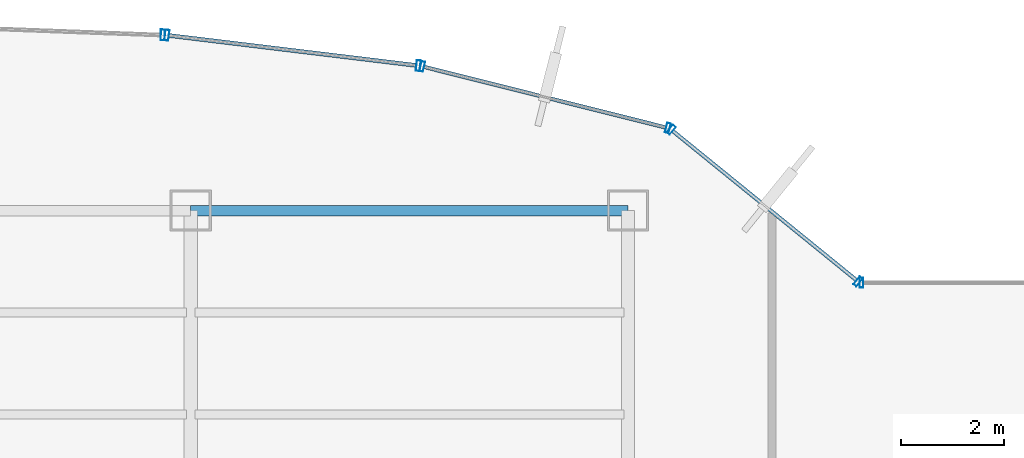
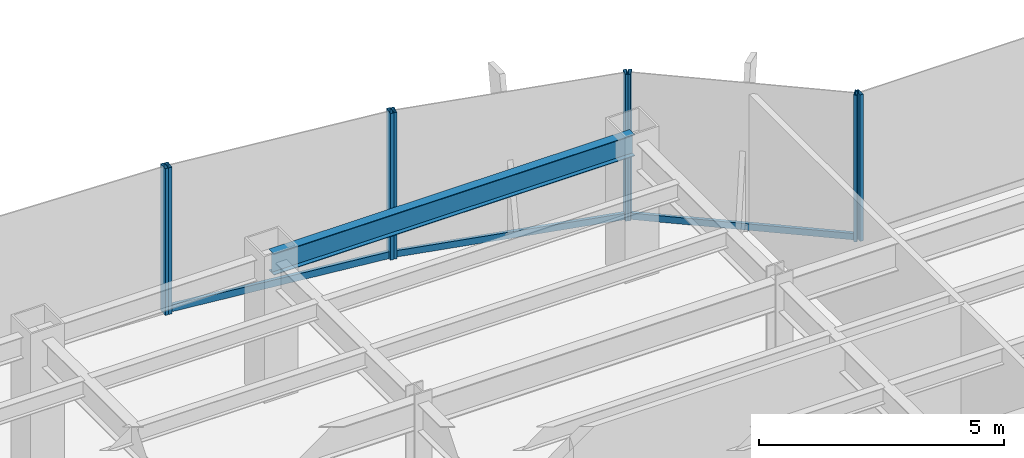
# One storey, part 18 of 26: 11 members, 1 beam, 5 elements without a shape of their own.
"""IFC4 building model written with IfcOpenShell, lengths in metres."""

from ifc_helpers import new_model, si_unit, derived_unit, direction, frame, origin, origin_2d, place, context, subcontext, project, spatial, hollow_rectangle, i_section, extrude, source, transform, mapped, material, material_profile, profile_set, type_object, element, aggregate, save


model = new_model("IFC4")

# Units and contexts
model_context = context("Model", 3, precision=1e-05, world=origin(), true_north=direction((0.0, 1.0)))
body_context = subcontext(model_context, "Body", "Model", "MODEL_VIEW")
ifc_project = project(units=[si_unit("LENGTHUNIT", "METRE"), si_unit("AREAUNIT", "SQUARE_METRE"), si_unit("VOLUMEUNIT", "CUBIC_METRE"), si_unit("PLANEANGLEUNIT", "RADIAN"), si_unit("MASSUNIT", "GRAM", prefix="KILO"), derived_unit("THERMALTRANSMITTANCEUNIT", [(si_unit("POWERUNIT", "WATT"), 1), (si_unit("LENGTHUNIT", "METRE"), -2), (si_unit("THERMODYNAMICTEMPERATUREUNIT", "KELVIN"), -1)])], contexts=[model_context])

# Site, building, storey
site_placement = place(None, origin())
site = spatial("IfcSite", under=ifc_project, at=site_placement, CompositionType="ELEMENT")
building_placement = place(site_placement, origin())
building = spatial("IfcBuilding", under=site, at=building_placement, Name="Skarnbrae Concourse Arena and Tower", CompositionType="ELEMENT")
storey_placement = place(building_placement, frame((0.0, 0.0, 114.199951171875)))
storey = spatial("IfcBuildingStorey", under=building, at=storey_placement, Name="L28", CompositionType="ELEMENT", Elevation=114.199951171875)

# Beam
ifc_material_1 = material(Name="Steel CSA G40.21 350W", Category="steel")
ifc_material_profile_1 = material_profile(ifc_material_1, i_section(OverallWidth=0.208984375, OverallDepth=0.532958984375, WebThickness=0.01025390625, FlangeThickness=0.015625, at=origin_2d()), Name="W530X92")
ifc_profile_set_1 = profile_set([ifc_material_profile_1], Name="Steel CSA G40.21 350W")
beam_type = type_object("IfcBeamType", Name="BM-SPAN-W530X92", PredefinedType="SPANDREL", material=ifc_profile_set_1)
shared_shape_1 = source(origin(), body_context, "Body", "SweptSolid", [
    extrude(i_section(OverallWidth=0.208984375, OverallDepth=0.532958984375, WebThickness=0.01025390625, FlangeThickness=0.015625, at=origin_2d()), origin(), (0.0, 0.0, 1.0), 8.5),
])
beam_placement = place(storey_placement, frame((33.5, 40.39990234375, 3.133544921875), z_axis=(1.0, 0.0, 0.0), x_axis=(0.0, 1.0, 0.0)))
element("IfcBeam", 1, at=beam_placement, inside=storey, type_object=beam_type, Name="L28 Perimeter spandrel Y40.4-4", PredefinedType="SPANDREL", context=body_context, shape_type="MappedRepresentation", body=[
    mapped(shared_shape_1, transform((0.0, 0.0, 0.0))),
])

# Curtain wall, members
ifc_material_2 = material(Name="Bronze anodised aluminium 6063-T6", Category="aluminium")
curtain_wall_type_1 = type_object("IfcCurtainWallType", Name="CW-SYS-03-PORTAL", PredefinedType="USERDEFINED", material=ifc_material_2)
curtain_wall_1_placement = place(storey_placement, origin())
curtain_wall_1 = element("IfcCurtainWall", 2, at=curtain_wall_1_placement, inside=storey, type_object=curtain_wall_type_1, Name="L28 Unitised curtain wall CW-L28-E10", ObjectType="UNITISED CURTAIN WALL", PredefinedType="USERDEFINED")
ifc_material_profile_2 = material_profile(ifc_material_2, hollow_rectangle(XDim=0.080078125, YDim=0.2099609375, WallThickness=0.00439453125, at=origin_2d()), Name="ALU-MULL-80X210")
ifc_profile_set_2 = profile_set([ifc_material_profile_2], Name="Bronze anodised aluminium 6063-T6")
member_type_1 = type_object("IfcMemberType", Name="CWM-CW-03", PredefinedType="MULLION", material=ifc_profile_set_2)
shared_shape_2 = source(origin(), body_context, "Body", "SweptSolid", [
    extrude(hollow_rectangle(XDim=0.080078125, YDim=0.2099609375, WallThickness=0.00439453125, at=origin_2d()), origin(), (0.0, 0.0, 1.0), 3.650146484375),
])
member_1_placement = place(storey_placement, frame((37.924560546875, 43.217529296875, 0.0), z_axis=(0.0, 0.0, 1.0), x_axis=(-0.992749371969, 0.120202680731, 0.0)))
member_1 = element("IfcMember", 3, at=member_1_placement, type_object=member_type_1, Name="CW-L28-E10 Mullion 1", PredefinedType="MULLION", context=body_context, shape_type="MappedRepresentation", body=[
    mapped(shared_shape_2, transform((0.0, 0.0, 0.0))),
])
member_2_placement = place(storey_placement, frame((33.03857421875, 43.80908203125, 0.0), z_axis=(0.0, 0.0, 1.0), x_axis=(-0.992749371969, 0.120202680731, 0.0)))
member_2 = element("IfcMember", 4, at=member_2_placement, type_object=member_type_1, Name="CW-L28-E10 Mullion 2", PredefinedType="MULLION", context=body_context, shape_type="MappedRepresentation", body=[
    mapped(shared_shape_2, transform((0.0, 0.0, 0.0))),
])

# Curtain wall, member
curtain_wall_2_placement = place(storey_placement, origin())
curtain_wall_2 = element("IfcCurtainWall", 5, at=curtain_wall_2_placement, inside=storey, type_object=curtain_wall_type_1, Name="L28 Unitised curtain wall CW-L28-E11", ObjectType="UNITISED CURTAIN WALL", PredefinedType="USERDEFINED")
member_3_placement = place(storey_placement, frame((32.958984375, 43.8154296875, 0.0), z_axis=(0.0, 0.0, 1.0), x_axis=(-0.999308486252, 0.037182647889, 0.0)))
member_3 = element("IfcMember", 6, at=member_3_placement, type_object=member_type_1, Name="CW-L28-E11 Mullion 1", PredefinedType="MULLION", context=body_context, shape_type="MappedRepresentation", body=[
    mapped(shared_shape_2, transform((0.0, 0.0, 0.0))),
])
aggregate(curtain_wall_2, [member_3])

curtain_wall_type_2 = type_object("IfcCurtainWallType", Name="CW-SYS-04-MIDZONE", PredefinedType="USERDEFINED", material=ifc_material_2)
curtain_wall_3_placement = place(storey_placement, origin())
curtain_wall_3 = element("IfcCurtainWall", 7, at=curtain_wall_3_placement, inside=storey, type_object=curtain_wall_type_2, Name="L28 Unitised curtain wall CW-L28-E07", ObjectType="UNITISED CURTAIN WALL", PredefinedType="USERDEFINED")
ifc_material_profile_3 = material_profile(ifc_material_2, hollow_rectangle(XDim=0.074951171875, YDim=0.195068359375, WallThickness=0.00439453125, at=origin_2d()), Name="ALU-MULL-75X195")
ifc_profile_set_3 = profile_set([ifc_material_profile_3], Name="Bronze anodised aluminium 6063-T6")
member_type_2 = type_object("IfcMemberType", Name="CWM-CW-04", PredefinedType="MULLION", material=ifc_profile_set_3)
shared_shape_3 = source(origin(), body_context, "Body", "SweptSolid", [
    extrude(hollow_rectangle(XDim=0.074951171875, YDim=0.195068359375, WallThickness=0.00439453125, at=origin_2d()), origin(), (0.0, 0.0, 1.0), 3.650146484375),
])
member_4_placement = place(storey_placement, frame((46.53759765625, 39.0, 0.0), z_axis=(0.0, 0.0, 1.0), x_axis=(-1.0, 0.0, 0.0)))
member_4 = element("IfcMember", 8, at=member_4_placement, type_object=member_type_2, Name="CW-L28-E07 Mullion 2", PredefinedType="MULLION", context=body_context, shape_type="MappedRepresentation", body=[
    mapped(shared_shape_3, transform((0.0, 0.0, 0.0))),
])
aggregate(curtain_wall_3, [member_4])

# Curtain wall, members
curtain_wall_4_placement = place(storey_placement, origin())
curtain_wall_4 = element("IfcCurtainWall", 9, at=curtain_wall_4_placement, inside=storey, type_object=curtain_wall_type_2, Name="L28 Unitised curtain wall CW-L28-E08", ObjectType="UNITISED CURTAIN WALL", PredefinedType="USERDEFINED")
member_5_placement = place(storey_placement, frame((46.470947265625, 39.023681640625, 0.0), z_axis=(0.0, 0.0, 1.0), x_axis=(-0.776241200471, 0.630436038542, 0.0)))
member_5 = element("IfcMember", 10, at=member_5_placement, type_object=member_type_2, Name="CW-L28-E08 Mullion 1", PredefinedType="MULLION", context=body_context, shape_type="MappedRepresentation", body=[
    mapped(shared_shape_3, transform((0.0, 0.0, 0.0))),
])
member_6_placement = place(storey_placement, frame((42.840087890625, 41.972412109375, 0.0), z_axis=(0.0, 0.0, 1.0), x_axis=(-0.776241200471, 0.630436038542, 0.0)))
member_6 = element("IfcMember", 11, at=member_6_placement, type_object=member_type_2, Name="CW-L28-E08 Mullion 2", PredefinedType="MULLION", context=body_context, shape_type="MappedRepresentation", body=[
    mapped(shared_shape_3, transform((0.0, 0.0, 0.0))),
])

curtain_wall_5_placement = place(storey_placement, origin())
curtain_wall_5 = element("IfcCurtainWall", 12, at=curtain_wall_5_placement, inside=storey, type_object=curtain_wall_type_2, Name="L28 Unitised curtain wall CW-L28-E09", ObjectType="UNITISED CURTAIN WALL", PredefinedType="USERDEFINED")
member_7_placement = place(storey_placement, frame((42.774658203125, 42.005126953125, 0.0), z_axis=(0.0, 0.0, 1.0), x_axis=(-0.969903046166, 0.243491439351, 0.0)))
member_7 = element("IfcMember", 13, at=member_7_placement, type_object=member_type_2, Name="CW-L28-E09 Mullion 1", PredefinedType="MULLION", context=body_context, shape_type="MappedRepresentation", body=[
    mapped(shared_shape_3, transform((0.0, 0.0, 0.0))),
])
member_8_placement = place(storey_placement, frame((38.00048828125, 43.20361328125, 0.0), z_axis=(0.0, 0.0, 1.0), x_axis=(-0.969903046166, 0.243491439351, 0.0)))
member_8 = element("IfcMember", 14, at=member_8_placement, type_object=member_type_2, Name="CW-L28-E09 Mullion 2", PredefinedType="MULLION", context=body_context, shape_type="MappedRepresentation", body=[
    mapped(shared_shape_3, transform((0.0, 0.0, 0.0))),
])

# Member
ifc_material_profile_4 = material_profile(ifc_material_2, hollow_rectangle(XDim=0.074951171875, YDim=0.159912109375, WallThickness=0.00439453125, at=origin_2d()), Name="ALU-TRAN-75X160")
ifc_profile_set_4 = profile_set([ifc_material_profile_4], Name="Bronze anodised aluminium 6063-T6")
member_type_3 = type_object("IfcMemberType", Name="CWT-CW-04", PredefinedType="USERDEFINED", material=ifc_profile_set_4)
shared_shape_4 = source(origin(), body_context, "Body", "SweptSolid", [
    extrude(hollow_rectangle(XDim=0.074951171875, YDim=0.159912109375, WallThickness=0.00439453125, at=origin_2d()), origin(), (0.0, 0.0, 1.0), 4.602294921875),
])
member_9_placement = place(storey_placement, frame((46.44189453125, 39.04736328125, 0.080078125), z_axis=(-0.776251906445, 0.630422856297, 0.0), x_axis=(-0.630422856297, -0.776251906445, 0.0)))
member_9 = element("IfcMember", 15, at=member_9_placement, type_object=member_type_3, Name="CW-L28-E08 Transom 1", ObjectType="TRANSOM", PredefinedType="USERDEFINED", context=body_context, shape_type="MappedRepresentation", body=[
    mapped(shared_shape_4, transform((0.0, 0.0, 0.0))),
])

aggregate(curtain_wall_4, [member_5, member_6, member_9])

shared_shape_5 = source(origin(), body_context, "Body", "SweptSolid", [
    extrude(hollow_rectangle(XDim=0.074951171875, YDim=0.159912109375, WallThickness=0.00439453125, at=origin_2d()), origin(), (0.0, 0.0, 1.0), 4.84716796875),
])
member_10_placement = place(storey_placement, frame((42.73828125, 42.014404296875, 0.080078125), z_axis=(-0.969907992238, 0.243471736744, 0.0), x_axis=(-0.243471736744, -0.969907992238, 0.0)))
member_10 = element("IfcMember", 16, at=member_10_placement, type_object=member_type_3, Name="CW-L28-E09 Transom 1", ObjectType="TRANSOM", PredefinedType="USERDEFINED", context=body_context, shape_type="MappedRepresentation", body=[
    mapped(shared_shape_5, transform((0.0, 0.0, 0.0))),
])

aggregate(curtain_wall_5, [member_7, member_8, member_10])

ifc_material_profile_5 = material_profile(ifc_material_2, hollow_rectangle(XDim=0.080078125, YDim=0.169921875, WallThickness=0.00439453125, at=origin_2d()), Name="ALU-TRAN-80X170")
ifc_profile_set_5 = profile_set([ifc_material_profile_5], Name="Bronze anodised aluminium 6063-T6")
member_type_4 = type_object("IfcMemberType", Name="CWT-CW-03", PredefinedType="USERDEFINED", material=ifc_profile_set_5)
shared_shape_6 = source(origin(), body_context, "Body", "SweptSolid", [
    extrude(hollow_rectangle(XDim=0.080078125, YDim=0.169921875, WallThickness=0.00439453125, at=origin_2d()), origin(), (0.0, 0.0, 1.0), 4.841552734375),
])
member_11_placement = place(storey_placement, frame((37.884765625, 43.222412109375, 0.0849609375), z_axis=(-0.992747648444, 0.120216914405, 0.0), x_axis=(-0.120216914405, -0.992747648444, 0.0)))
member_11 = element("IfcMember", 17, at=member_11_placement, type_object=member_type_4, Name="CW-L28-E10 Transom 1", ObjectType="TRANSOM", PredefinedType="USERDEFINED", context=body_context, shape_type="MappedRepresentation", body=[
    mapped(shared_shape_6, transform((0.0, 0.0, 0.0))),
])

aggregate(curtain_wall_1, [member_1, member_2, member_11])

save(model, "model.ifc")
